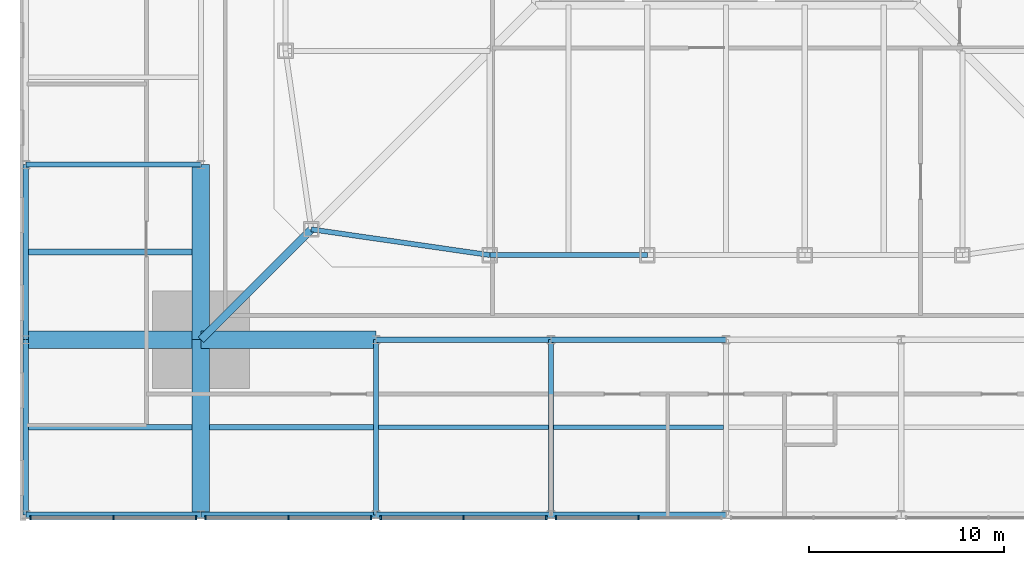
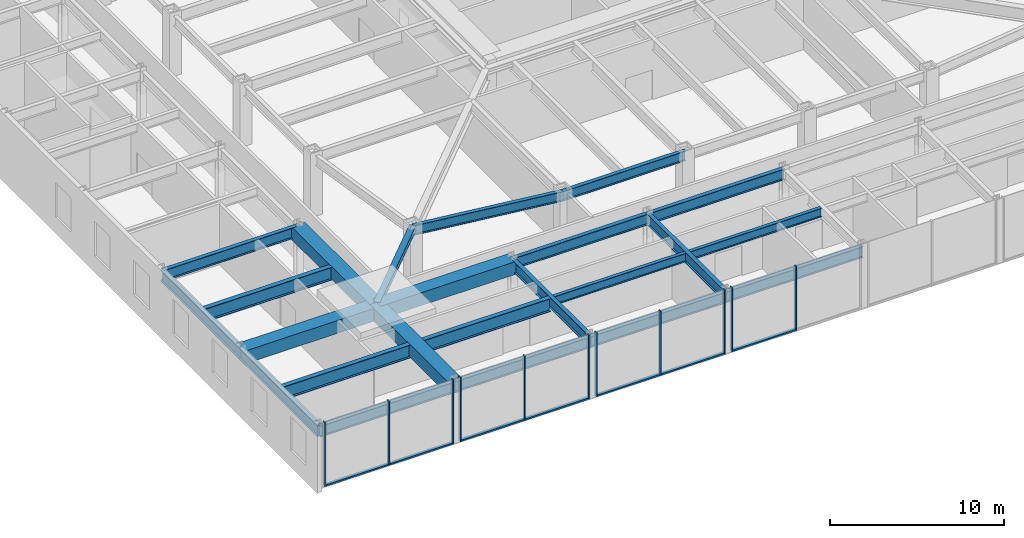
# One storey, part 6 of 30: 22 beams, 19 members, 4 elements without a shape of their own.
"""IFC4 building model written with IfcOpenShell, lengths in metres."""

from ifc_helpers import new_model, si_unit, direction, frame, origin, origin_2d, place, context, subcontext, project, spatial, rectangle, hollow_rectangle, i_section, extrude, material, material_profile, profile_set, type_object, element, aggregate, save


model = new_model("IFC4")

# Units and contexts
model_context = context("Model", 3, precision=1e-05, world=origin(), true_north=direction((0.0, 1.0)))
body_context = subcontext(model_context, "Body", "Model", "MODEL_VIEW")
ifc_project = project(units=[si_unit("LENGTHUNIT", "METRE"), si_unit("AREAUNIT", "SQUARE_METRE"), si_unit("VOLUMEUNIT", "CUBIC_METRE"), si_unit("PLANEANGLEUNIT", "RADIAN"), si_unit("MASSUNIT", "GRAM", prefix="KILO")], contexts=[model_context])

# Site, building, storey
site_placement = place(None, origin())
site = spatial("IfcSite", under=ifc_project, at=site_placement, CompositionType="ELEMENT")
building_placement = place(site_placement, origin())
building = spatial("IfcBuilding", under=site, at=building_placement, Name="Iwan Alto Co-Living Towers", CompositionType="ELEMENT")
storey_placement = place(building_placement, frame((0.0, 0.0, 10.5)))
storey = spatial("IfcBuildingStorey", under=building, at=storey_placement, Name="L02", CompositionType="ELEMENT", Elevation=10.5)

# Curtain wall, members
ifc_material_1 = material(Name="Bronze aluminium stick frame", Category="aluminium")
curtain_wall_type = type_object("IfcCurtainWallType", Name="CURTAIN WALL CW-E", PredefinedType="NOTDEFINED", material=ifc_material_1)
curtain_wall_1_placement = place(storey_placement, origin())
curtain_wall_1 = element("IfcCurtainWall", 1, at=curtain_wall_1_placement, inside=storey, type_object=curtain_wall_type, Name="Podium curtain wall S L02", PredefinedType="NOTDEFINED")
ifc_material_2 = material(Name="Aluminium 6063-T6 bronze anodised", Category="aluminium")
ifc_material_profile_1 = material_profile(ifc_material_2, rectangle(XDim=0.199951171875, YDim=0.080078125, at=origin_2d()), Name="AL 80X200")
ifc_profile_set_1 = profile_set([ifc_material_profile_1], Name="Aluminium 6063-T6 bronze anodised")
member_type_1 = type_object("IfcMemberType", Name="CW-E MULLION 80X200", PredefinedType="MULLION", material=ifc_profile_set_1)
member_1_placement = place(storey_placement, frame((-35.754150390625, -36.14990234375, 0.0), z_axis=(0.0, 0.0, 1.0), x_axis=(0.0, 1.0, 0.0)))
member_1 = element("IfcMember", 2, at=member_1_placement, type_object=member_type_1, Name="CW-E mullion 1", PredefinedType="MULLION", context=body_context, shape_type="SweptSolid", body=[
    extrude(rectangle(XDim=0.199951171875, YDim=0.080078125, at=origin_2d()), origin(), (0.0, 0.0, 1.0), 4.5),
])
member_2_placement = place(storey_placement, frame((-31.5, -36.14990234375, 0.0), z_axis=(0.0, 0.0, 1.0), x_axis=(0.0, 1.0, 0.0)))
member_2 = element("IfcMember", 3, at=member_2_placement, type_object=member_type_1, Name="CW-E mullion 2", PredefinedType="MULLION", context=body_context, shape_type="SweptSolid", body=[
    extrude(rectangle(XDim=0.199951171875, YDim=0.080078125, at=origin_2d()), origin(), (0.0, 0.0, 1.0), 4.5),
])
member_3_placement = place(storey_placement, frame((-27.245849609375, -36.14990234375, 0.0), z_axis=(0.0, 0.0, 1.0), x_axis=(0.0, 1.0, 0.0)))
member_3 = element("IfcMember", 4, at=member_3_placement, type_object=member_type_1, Name="CW-E mullion 3", PredefinedType="MULLION", context=body_context, shape_type="SweptSolid", body=[
    extrude(rectangle(XDim=0.199951171875, YDim=0.080078125, at=origin_2d()), origin(), (0.0, 0.0, 1.0), 4.5),
])

curtain_wall_2_placement = place(storey_placement, origin())
curtain_wall_2 = element("IfcCurtainWall", 5, at=curtain_wall_2_placement, inside=storey, type_object=curtain_wall_type, Name="Podium curtain wall S L02", PredefinedType="NOTDEFINED")
member_4_placement = place(storey_placement, frame((-26.754150390625, -36.14990234375, 0.0), z_axis=(0.0, 0.0, 1.0), x_axis=(0.0, 1.0, 0.0)))
member_4 = element("IfcMember", 6, at=member_4_placement, type_object=member_type_1, Name="CW-E mullion 1", PredefinedType="MULLION", context=body_context, shape_type="SweptSolid", body=[
    extrude(rectangle(XDim=0.199951171875, YDim=0.080078125, at=origin_2d()), origin(), (0.0, 0.0, 1.0), 4.5),
])
member_5_placement = place(storey_placement, frame((-22.5, -36.14990234375, 0.0), z_axis=(0.0, 0.0, 1.0), x_axis=(0.0, 1.0, 0.0)))
member_5 = element("IfcMember", 7, at=member_5_placement, type_object=member_type_1, Name="CW-E mullion 2", PredefinedType="MULLION", context=body_context, shape_type="SweptSolid", body=[
    extrude(rectangle(XDim=0.199951171875, YDim=0.080078125, at=origin_2d()), origin(), (0.0, 0.0, 1.0), 4.5),
])
member_6_placement = place(storey_placement, frame((-18.245849609375, -36.14990234375, 0.0), z_axis=(0.0, 0.0, 1.0), x_axis=(0.0, 1.0, 0.0)))
member_6 = element("IfcMember", 8, at=member_6_placement, type_object=member_type_1, Name="CW-E mullion 3", PredefinedType="MULLION", context=body_context, shape_type="SweptSolid", body=[
    extrude(rectangle(XDim=0.199951171875, YDim=0.080078125, at=origin_2d()), origin(), (0.0, 0.0, 1.0), 4.5),
])

curtain_wall_3_placement = place(storey_placement, origin())
curtain_wall_3 = element("IfcCurtainWall", 9, at=curtain_wall_3_placement, inside=storey, type_object=curtain_wall_type, Name="Podium curtain wall S L02", PredefinedType="NOTDEFINED")
member_7_placement = place(storey_placement, frame((-17.754150390625, -36.14990234375, 0.0), z_axis=(0.0, 0.0, 1.0), x_axis=(0.0, 1.0, 0.0)))
member_7 = element("IfcMember", 10, at=member_7_placement, type_object=member_type_1, Name="CW-E mullion 1", PredefinedType="MULLION", context=body_context, shape_type="SweptSolid", body=[
    extrude(rectangle(XDim=0.199951171875, YDim=0.080078125, at=origin_2d()), origin(), (0.0, 0.0, 1.0), 4.5),
])
member_8_placement = place(storey_placement, frame((-13.5, -36.14990234375, 0.0), z_axis=(0.0, 0.0, 1.0), x_axis=(0.0, 1.0, 0.0)))
member_8 = element("IfcMember", 11, at=member_8_placement, type_object=member_type_1, Name="CW-E mullion 2", PredefinedType="MULLION", context=body_context, shape_type="SweptSolid", body=[
    extrude(rectangle(XDim=0.199951171875, YDim=0.080078125, at=origin_2d()), origin(), (0.0, 0.0, 1.0), 4.5),
])
member_9_placement = place(storey_placement, frame((-9.245849609375, -36.14990234375, 0.0), z_axis=(0.0, 0.0, 1.0), x_axis=(0.0, 1.0, 0.0)))
member_9 = element("IfcMember", 12, at=member_9_placement, type_object=member_type_1, Name="CW-E mullion 3", PredefinedType="MULLION", context=body_context, shape_type="SweptSolid", body=[
    extrude(rectangle(XDim=0.199951171875, YDim=0.080078125, at=origin_2d()), origin(), (0.0, 0.0, 1.0), 4.5),
])

curtain_wall_4_placement = place(storey_placement, origin())
curtain_wall_4 = element("IfcCurtainWall", 13, at=curtain_wall_4_placement, inside=storey, type_object=curtain_wall_type, Name="Podium curtain wall S L02", PredefinedType="NOTDEFINED")
member_10_placement = place(storey_placement, frame((-8.754150390625, -36.14990234375, 0.0), z_axis=(0.0, 0.0, 1.0), x_axis=(0.0, 1.0, 0.0)))
member_10 = element("IfcMember", 14, at=member_10_placement, type_object=member_type_1, Name="CW-E mullion 1", PredefinedType="MULLION", context=body_context, shape_type="SweptSolid", body=[
    extrude(rectangle(XDim=0.199951171875, YDim=0.080078125, at=origin_2d()), origin(), (0.0, 0.0, 1.0), 4.5),
])
member_11_placement = place(storey_placement, frame((-4.5, -36.14990234375, 0.0), z_axis=(0.0, 0.0, 1.0), x_axis=(0.0, 1.0, 0.0)))
member_11 = element("IfcMember", 15, at=member_11_placement, type_object=member_type_1, Name="CW-E mullion 2", PredefinedType="MULLION", context=body_context, shape_type="SweptSolid", body=[
    extrude(rectangle(XDim=0.199951171875, YDim=0.080078125, at=origin_2d()), origin(), (0.0, 0.0, 1.0), 4.5),
])

# Member
ifc_material_3 = material(Name="Aluminium 6063-T6 bronze anodised", Category="aluminium")
ifc_material_profile_2 = material_profile(ifc_material_3, rectangle(XDim=0.199951171875, YDim=0.10009765625, at=origin_2d()), Name="AL 200X100")
ifc_profile_set_2 = profile_set([ifc_material_profile_2], Name="Aluminium 6063-T6 bronze anodised")
member_type_2 = type_object("IfcMemberType", Name="CW-E TRANSOM 200X100", PredefinedType="USERDEFINED", material=ifc_profile_set_2)
member_12_placement = place(storey_placement, frame((-35.71435546875, -36.14990234375, 0.050048828125), z_axis=(1.0, 0.0, 0.0), x_axis=(0.0, 1.0, 0.0)))
member_12 = element("IfcMember", 16, at=member_12_placement, type_object=member_type_2, Name="CW-E transom 1.1", ObjectType="TRANSOM", PredefinedType="USERDEFINED", context=body_context, shape_type="SweptSolid", body=[
    extrude(rectangle(XDim=0.199951171875, YDim=0.10009765625, at=origin_2d()), origin(), (0.0, 0.0, 1.0), 4.17431640625),
])

member_13_placement = place(storey_placement, frame((-31.4599609375, -36.14990234375, 0.050048828125), z_axis=(1.0, 0.0, 0.0), x_axis=(0.0, 1.0, 0.0)))
member_13 = element("IfcMember", 17, at=member_13_placement, type_object=member_type_2, Name="CW-E transom 2.1", ObjectType="TRANSOM", PredefinedType="USERDEFINED", context=body_context, shape_type="SweptSolid", body=[
    extrude(rectangle(XDim=0.199951171875, YDim=0.10009765625, at=origin_2d()), origin(), (0.0, 0.0, 1.0), 4.17431640625),
])

aggregate(curtain_wall_1, [member_1, member_2, member_3, member_12, member_13])

member_14_placement = place(storey_placement, frame((-26.71435546875, -36.14990234375, 0.050048828125), z_axis=(1.0, 0.0, 0.0), x_axis=(0.0, 1.0, 0.0)))
member_14 = element("IfcMember", 18, at=member_14_placement, type_object=member_type_2, Name="CW-E transom 1.1", ObjectType="TRANSOM", PredefinedType="USERDEFINED", context=body_context, shape_type="SweptSolid", body=[
    extrude(rectangle(XDim=0.199951171875, YDim=0.10009765625, at=origin_2d()), origin(), (0.0, 0.0, 1.0), 4.17431640625),
])

member_15_placement = place(storey_placement, frame((-22.4599609375, -36.14990234375, 0.050048828125), z_axis=(1.0, 0.0, 0.0), x_axis=(0.0, 1.0, 0.0)))
member_15 = element("IfcMember", 19, at=member_15_placement, type_object=member_type_2, Name="CW-E transom 2.1", ObjectType="TRANSOM", PredefinedType="USERDEFINED", context=body_context, shape_type="SweptSolid", body=[
    extrude(rectangle(XDim=0.199951171875, YDim=0.10009765625, at=origin_2d()), origin(), (0.0, 0.0, 1.0), 4.17431640625),
])

aggregate(curtain_wall_2, [member_4, member_5, member_6, member_14, member_15])

member_16_placement = place(storey_placement, frame((-17.71435546875, -36.14990234375, 0.050048828125), z_axis=(1.0, 0.0, 0.0), x_axis=(0.0, 1.0, 0.0)))
member_16 = element("IfcMember", 20, at=member_16_placement, type_object=member_type_2, Name="CW-E transom 1.1", ObjectType="TRANSOM", PredefinedType="USERDEFINED", context=body_context, shape_type="SweptSolid", body=[
    extrude(rectangle(XDim=0.199951171875, YDim=0.10009765625, at=origin_2d()), origin(), (0.0, 0.0, 1.0), 4.17431640625),
])

member_17_placement = place(storey_placement, frame((-13.4599609375, -36.14990234375, 0.050048828125), z_axis=(1.0, 0.0, 0.0), x_axis=(0.0, 1.0, 0.0)))
member_17 = element("IfcMember", 21, at=member_17_placement, type_object=member_type_2, Name="CW-E transom 2.1", ObjectType="TRANSOM", PredefinedType="USERDEFINED", context=body_context, shape_type="SweptSolid", body=[
    extrude(rectangle(XDim=0.199951171875, YDim=0.10009765625, at=origin_2d()), origin(), (0.0, 0.0, 1.0), 4.17431640625),
])

aggregate(curtain_wall_3, [member_7, member_8, member_9, member_16, member_17])

member_18_placement = place(storey_placement, frame((-8.71435546875, -36.14990234375, 0.050048828125), z_axis=(1.0, 0.0, 0.0), x_axis=(0.0, 1.0, 0.0)))
member_18 = element("IfcMember", 22, at=member_18_placement, type_object=member_type_2, Name="CW-E transom 1.1", ObjectType="TRANSOM", PredefinedType="USERDEFINED", context=body_context, shape_type="SweptSolid", body=[
    extrude(rectangle(XDim=0.199951171875, YDim=0.10009765625, at=origin_2d()), origin(), (0.0, 0.0, 1.0), 4.17431640625),
])

aggregate(curtain_wall_4, [member_10, member_11, member_18])

# Beams
ifc_material_4 = material(Name="Steel ASTM A992 Gr 50", Category="steel")
ifc_material_profile_3 = material_profile(ifc_material_4, i_section(OverallWidth=0.2666015625, OverallDepth=0.76953125, WebThickness=0.015625, FlangeThickness=0.025390625, at=origin_2d()), Name="W30X132")
ifc_profile_set_3 = profile_set([ifc_material_profile_3], Name="Steel ASTM A992 Gr 50")
beam_type_1 = type_object("IfcBeamType", Name="PODIUM BEAM W30X132", PredefinedType="BEAM", material=ifc_profile_set_3)
for number, where, z_axis, x_axis, name in (
    (23, (-36.0, -36.0, 3.865234375), (1.0, 0.0, 0.0), (0.0, 1.0, 0.0), "Podium beam 1/A-2/A L03"),
    (24, (-36.0, -36.0, 3.865234375), (0.0, 1.0, 0.0), (-1.0, 0.0, 0.0), "Podium beam 1/A-1/B L03"),
    (25, (-36.0, -27.0, 3.865234375), (0.0, 1.0, 0.0), (-1.0, 0.0, 0.0), "Podium beam 1/B-1/C L03"),
    (26, (-36.0, -18.0, 3.865234375), (1.0, 0.0, 0.0), (0.0, 1.0, 0.0), "Podium beam 1/C-2/C L03"),
    (27, (-27.0, -36.0, 3.865234375), (1.0, 0.0, 0.0), (0.0, 1.0, 0.0), "Podium beam 2/A-3/A L03"),
    (28, (-18.0, -36.0, 3.865234375), (1.0, 0.0, 0.0), (0.0, 1.0, 0.0), "Podium beam 3/A-4/A L03"),
    (29, (-18.0, -36.0, 3.865234375), (0.0, 1.0, 0.0), (-1.0, 0.0, 0.0), "Podium beam 3/A-3/B L03"),
    (30, (-18.0, -27.0, 3.865234375), (1.0, 0.0, 0.0), (0.0, 1.0, 0.0), "Podium beam 3/B-4/B L03"),
    (31, (-9.0, -36.0, 3.865234375), (1.0, 0.0, 0.0), (0.0, 1.0, 0.0), "Podium beam 4/A-5/A L03"),
    (32, (-9.0, -36.0, 3.865234375), (0.0, 1.0, 0.0), (-1.0, 0.0, 0.0), "Podium beam 4/A-4/B L03"),
    (33, (-9.0, -27.0, 3.865234375), (1.0, 0.0, 0.0), (0.0, 1.0, 0.0), "Podium beam 4/B-5/B L03"),
):
    element("IfcBeam", number, at=place(storey_placement, frame(where, z_axis=z_axis, x_axis=x_axis)), inside=storey, type_object=beam_type_1, Name=name, PredefinedType="BEAM", context=body_context, shape_type="SweptSolid", body=[
        extrude(i_section(OverallWidth=0.2666015625, OverallDepth=0.76953125, WebThickness=0.015625, FlangeThickness=0.025390625, at=origin_2d()), origin(), (0.0, 0.0, 1.0), 9.0),
    ])
ifc_material_5 = material(Name="Steel ASTM A992 Gr 50", Category="steel")
ifc_material_profile_4 = material_profile(ifc_material_5, i_section(OverallWidth=0.307373046875, OverallDepth=0.927001953125, WebThickness=0.01953125, FlangeThickness=0.031982421875, at=origin_2d()), Name="W36X194")
ifc_profile_set_4 = profile_set([ifc_material_profile_4], Name="Steel ASTM A992 Gr 50")
beam_type_2 = type_object("IfcBeamType", Name="PODIUM PIER BAY SECONDARY BEAM W36X194", PredefinedType="JOIST", material=ifc_profile_set_4)
for number, where, z_axis, x_axis, name in (
    (34, (-35.86669921875, -31.5, 3.786376953125), (1.0, 0.0, 0.0), (0.0, 1.0, 0.0), "Podium secondary beam 1/A L03"),
    (35, (-35.86669921875, -22.5, 3.786376953125), (1.0, 0.0, 0.0), (0.0, 1.0, 0.0), "Podium secondary beam 1/B L03"),
    (36, (-26.550048828125, -31.5, 3.786376953125), (1.0, 0.0, 0.0), (0.0, 1.0, 0.0), "Podium secondary beam 2/A L03"),
):
    element("IfcBeam", number, at=place(storey_placement, frame(where, z_axis=z_axis, x_axis=x_axis)), inside=storey, type_object=beam_type_2, Name=name, PredefinedType="JOIST", context=body_context, shape_type="SweptSolid", body=[
        extrude(i_section(OverallWidth=0.307373046875, OverallDepth=0.927001953125, WebThickness=0.01953125, FlangeThickness=0.031982421875, at=origin_2d()), origin(), (0.0, 0.0, 1.0), 8.416748046875),
    ])
ifc_material_6 = material(Name="Steel ASTM A572 Gr 50", Category="steel")
ifc_material_profile_5 = material_profile(ifc_material_6, hollow_rectangle(XDim=0.89990234375, YDim=0.89990234375, WallThickness=0.06005859375, at=origin_2d()), Name="BOX 900X900X60")
ifc_profile_set_5 = profile_set([ifc_material_profile_5], Name="Steel ASTM A572 Gr 50")
beam_type_3 = type_object("IfcBeamType", Name="PODIUM PIER BEAM BOX 900X900X60", PredefinedType="BEAM", material=ifc_profile_set_5)
for number, where, z_axis, x_axis, name in (
    (37, (-36.0, -27.0, 3.800048828125), (1.0, 0.0, 0.0), (0.0, 1.0, 0.0), "Podium beam 1/B-2/B L03"),
    (38, (-27.0, -36.0, 3.800048828125), (0.0, 1.0, 0.0), (-1.0, 0.0, 0.0), "Podium beam 2/A-2/B L03"),
    (39, (-27.0, -27.0, 3.800048828125), (1.0, 0.0, 0.0), (0.0, 1.0, 0.0), "Podium beam 2/B-3/B L03"),
    (40, (-27.0, -27.0, 3.800048828125), (0.0, 1.0, 0.0), (-1.0, 0.0, 0.0), "Podium beam 2/B-2/C L03"),
):
    element("IfcBeam", number, at=place(storey_placement, frame(where, z_axis=z_axis, x_axis=x_axis)), inside=storey, type_object=beam_type_3, Name=name, PredefinedType="BEAM", context=body_context, shape_type="SweptSolid", body=[
        extrude(hollow_rectangle(XDim=0.89990234375, YDim=0.89990234375, WallThickness=0.06005859375, at=origin_2d()), origin(), (0.0, 0.0, 1.0), 9.0),
    ])
ifc_material_7 = material(Name="Steel ASTM A992 Gr 50", Category="steel")
ifc_material_profile_6 = material_profile(ifc_material_7, i_section(OverallWidth=0.23046875, OverallDepth=0.6171875, WebThickness=0.01318359375, FlangeThickness=0.022216796875, at=origin_2d()), Name="W24X94")
ifc_profile_set_6 = profile_set([ifc_material_profile_6], Name="Steel ASTM A992 Gr 50")
beam_type_4 = type_object("IfcBeamType", Name="PODIUM SECONDARY BEAM W24X94", PredefinedType="JOIST", material=ifc_profile_set_6)
for number, where, z_axis, x_axis, name in (
    (41, (-17.86669921875, -31.5, 3.94140625), (1.0, 0.0, 0.0), (0.0, 1.0, 0.0), "Podium secondary beam 3/A L03"),
    (42, (-8.86669921875, -31.5, 3.94140625), (1.0, 0.0, 0.0), (0.0, 1.0, 0.0), "Podium secondary beam 4/A L03"),
):
    element("IfcBeam", number, at=place(storey_placement, frame(where, z_axis=z_axis, x_axis=x_axis)), inside=storey, type_object=beam_type_4, Name=name, PredefinedType="JOIST", context=body_context, shape_type="SweptSolid", body=[
        extrude(i_section(OverallWidth=0.23046875, OverallDepth=0.6171875, WebThickness=0.01318359375, FlangeThickness=0.022216796875, at=origin_2d()), origin(), (0.0, 0.0, 1.0), 8.7333984375),
    ])
ifc_material_8 = material(Name="Steel ASTM A992 Gr 50", Category="steel")
ifc_material_profile_7 = material_profile(ifc_material_8, i_section(OverallWidth=0.25390625, OverallDepth=0.683349609375, WebThickness=0.012451171875, FlangeThickness=0.018798828125, at=origin_2d()), Name="W27X94")
ifc_profile_set_7 = profile_set([ifc_material_profile_7], Name="Steel ASTM A992 Gr 50")
beam_type_5 = type_object("IfcBeamType", Name="T1 EDGE BEAM W27X94", PredefinedType="BEAM", material=ifc_profile_set_7)
beam_1_placement = place(storey_placement, frame((-21.32568359375, -21.32568359375, 3.928466796875), z_axis=(0.989746234347, -0.142836940589, 0.0), x_axis=(0.142836940589, 0.989746234347, 0.0)))
element("IfcBeam", 43, at=beam_1_placement, inside=storey, type_object=beam_type_5, Name="T1 edge beam CSW L03", PredefinedType="BEAM", context=body_context, shape_type="SweptSolid", body=[
    extrude(i_section(OverallWidth=0.25390625, OverallDepth=0.683349609375, WebThickness=0.012451171875, FlangeThickness=0.018798828125, at=origin_2d()), origin(), (0.0, 0.0, 1.0), 9.270751953125),
])
beam_2_placement = place(storey_placement, frame((-12.14990234375, -22.64990234375, 3.928466796875), z_axis=(1.0, 0.0, 0.0), x_axis=(0.0, 1.0, 0.0)))
element("IfcBeam", 44, at=beam_2_placement, inside=storey, type_object=beam_type_5, Name="T1 edge beam S1 L03", PredefinedType="BEAM", context=body_context, shape_type="SweptSolid", body=[
    extrude(i_section(OverallWidth=0.25390625, OverallDepth=0.683349609375, WebThickness=0.012451171875, FlangeThickness=0.018798828125, at=origin_2d()), origin(), (0.0, 0.0, 1.0), 8.099853515625),
])

# Member
ifc_material_9 = material(Name="Steel ASTM A992 Gr 50", Category="steel")
ifc_material_profile_8 = material_profile(ifc_material_9, i_section(OverallWidth=0.393798828125, OverallDepth=0.3759765625, WebThickness=0.017333984375, FlangeThickness=0.027587890625, at=origin_2d()), Name="W14X145")
ifc_profile_set_8 = profile_set([ifc_material_profile_8], Name="Steel ASTM A992 Gr 50")
member_type_3 = type_object("IfcMemberType", Name="T1 MEGA COLUMN FLOOR TIE W14X145", PredefinedType="STRUT", material=ifc_profile_set_8)
member_19_placement = place(storey_placement, frame((-27.0, -27.0, 4.08203125), z_axis=(0.707106781187, 0.707106781187, 0.0), x_axis=(-0.707106781187, 0.707106781187, 0.0)))
element("IfcMember", 45, at=member_19_placement, inside=storey, type_object=member_type_3, Name="T1 mega column floor tie SW L03", PredefinedType="STRUT", context=body_context, shape_type="SweptSolid", body=[
    extrude(i_section(OverallWidth=0.393798828125, OverallDepth=0.3759765625, WebThickness=0.017333984375, FlangeThickness=0.027587890625, at=origin_2d()), origin(), (0.0, 0.0, 1.0), 8.024658203125),
])

save(model, "model.ifc")
